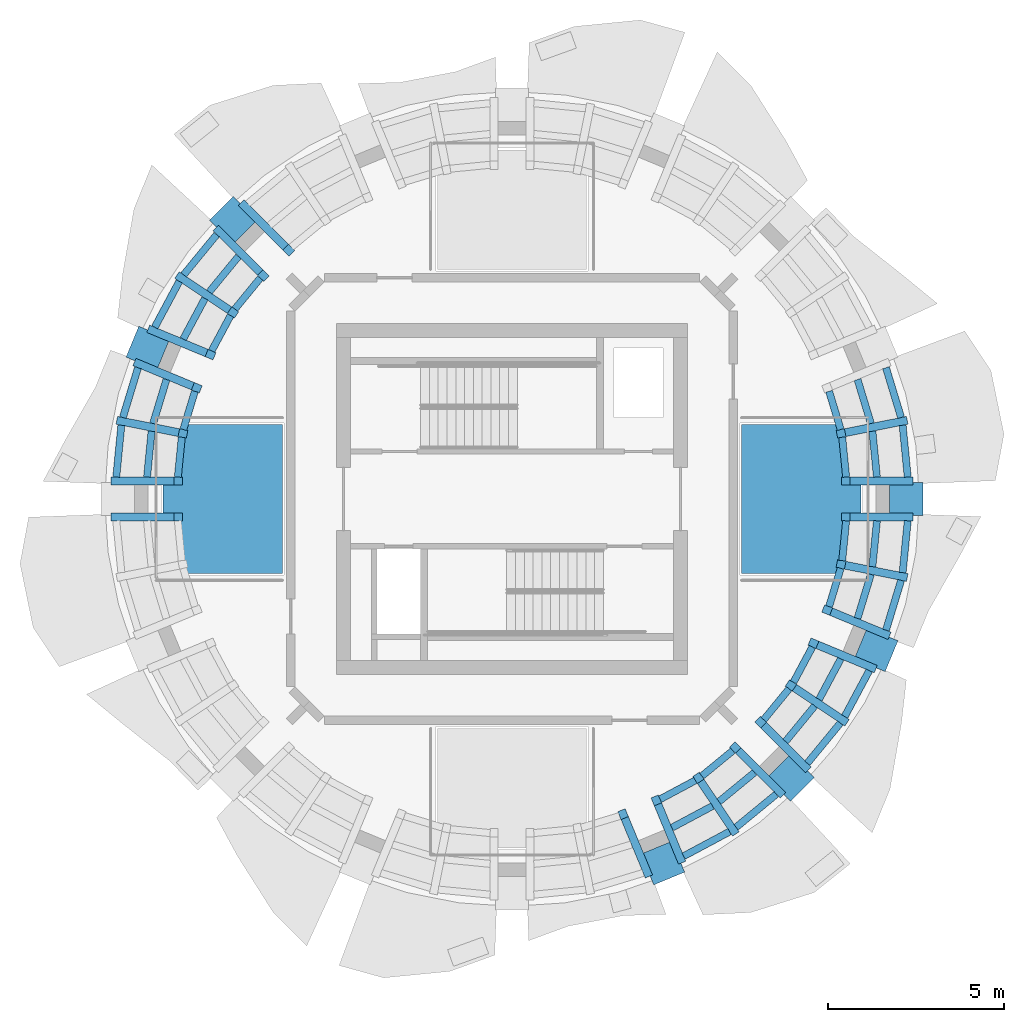
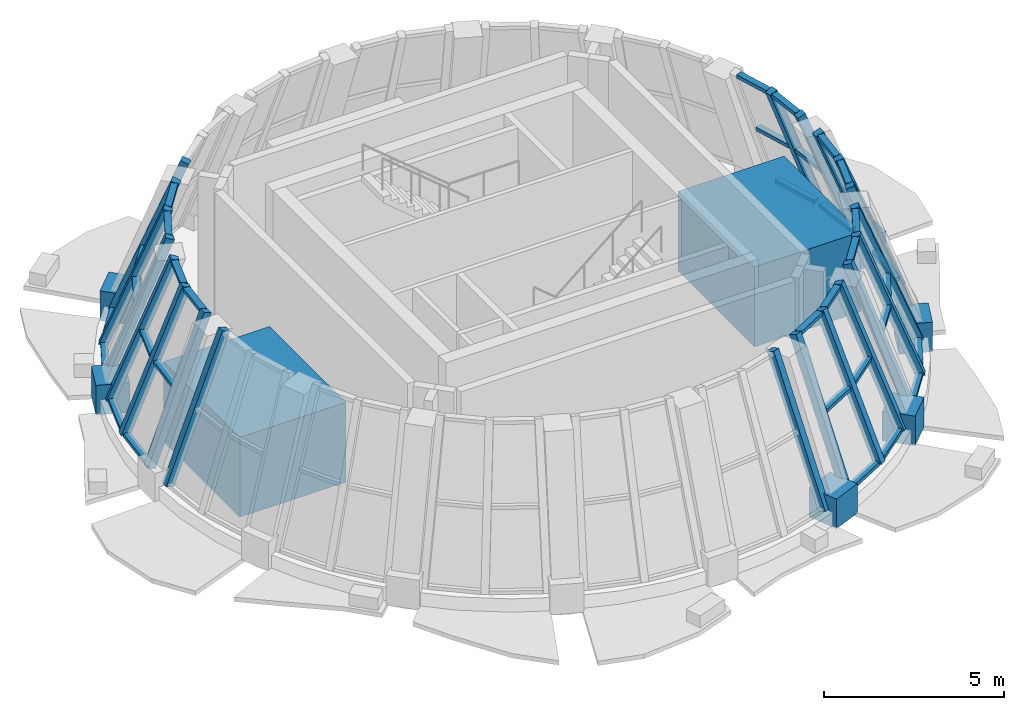
# One storey, part 2 of 9: 64 members, 9 elements without a shape of their own.
"""IFC4 building model written with IfcOpenShell, lengths in metres."""

from ifc_helpers import new_model, si_unit, direction, frame, origin, origin_2d, place, context, subcontext, project, spatial, rectangle, extrude, material, material_profile, profile_set, type_object, element, aggregate, save


model = new_model("IFC4")

# Units and contexts
model_context = context("Model", 3, precision=1e-05, world=origin(), true_north=direction((0.0, 1.0)))
body_context = subcontext(model_context, "Body", "Model", "MODEL_VIEW")
ifc_project = project(units=[si_unit("LENGTHUNIT", "METRE"), si_unit("AREAUNIT", "SQUARE_METRE"), si_unit("VOLUMEUNIT", "CUBIC_METRE"), si_unit("PLANEANGLEUNIT", "RADIAN"), si_unit("MASSUNIT", "GRAM", prefix="KILO")], contexts=[model_context])

# Site, building, storey
site_placement = place(None, origin())
site = spatial("IfcSite", under=ifc_project, at=site_placement, CompositionType="ELEMENT")
building_placement = place(site_placement, origin())
building = spatial("IfcBuilding", under=site, at=building_placement, Name="Polderwave Tower", CompositionType="ELEMENT")
storey_placement = place(building_placement, frame((0.0, 0.0, 239.39990234375)))
storey = spatial("IfcBuildingStorey", under=building, at=storey_placement, Name="L65", CompositionType="ELEMENT", Elevation=239.39990234375)

# Curtain wall, members
ifc_material_1 = material(Name="Aluminium 6063-T6 and glass", Category="aluminium")
curtain_wall_type = type_object("IfcCurtainWallType", Name="Damper floor glazing wall", PredefinedType="NOTDEFINED", material=ifc_material_1)
curtain_wall_1_placement = place(storey_placement, origin())
curtain_wall_1 = element("IfcCurtainWall", 1, at=curtain_wall_1_placement, inside=storey, type_object=curtain_wall_type, Name="CROWN CW7 L65 00", PredefinedType="NOTDEFINED")
ifc_material_2 = material(Name="Aluminium 6063-T6", Category="aluminium")
ifc_material_profile_1 = material_profile(ifc_material_2, rectangle(XDim=0.22509765625, YDim=0.260009765625, at=origin_2d()), Name="AL 225x260")
ifc_profile_set_1 = profile_set([ifc_material_profile_1], Name="Aluminium 6063-T6")
member_type_1 = type_object("IfcMemberType", Name="Damper floor glazing mullion 225x260", PredefinedType="MULLION", material=ifc_profile_set_1)
member_1_placement = place(storey_placement, frame((11.302001953125, 0.511962890625, 0.0), z_axis=(-0.360992728978, 0.0, 0.932568629981), x_axis=(0.0, -1.0, 0.0)))
member_1 = element("IfcMember", 2, at=member_1_placement, type_object=member_type_1, Name="CW7 mullion 1", PredefinedType="MULLION", context=body_context, shape_type="SweptSolid", body=[
    extrude(rectangle(XDim=0.22509765625, YDim=0.260009765625, at=origin_2d()), origin(), (0.0, 0.0, 1.0), 4.986328125),
])
member_2_placement = place(storey_placement, frame((11.134033203125, 2.215087890625, 0.0), z_axis=(-0.353999892072, -0.070408277289, 0.932591416914), x_axis=(0.195072520718, -0.980788821134, 0.0)))
member_2 = element("IfcMember", 3, at=member_2_placement, type_object=member_type_1, Name="CW7 mullion 2", PredefinedType="MULLION", context=body_context, shape_type="SweptSolid", body=[
    extrude(rectangle(XDim=0.22509765625, YDim=0.260009765625, at=origin_2d()), origin(), (0.0, 0.0, 1.0), 4.986328125),
])

# Curtain wall, member
curtain_wall_2_placement = place(storey_placement, origin())
curtain_wall_2 = element("IfcCurtainWall", 4, at=curtain_wall_2_placement, inside=storey, type_object=curtain_wall_type, Name="CROWN CW7 L65 05", PredefinedType="NOTDEFINED")
member_3_placement = place(storey_placement, frame((-7.629150390625, 8.353515625, 0.0), z_axis=(0.255141261656, -0.255337109871, 0.932580236185), x_axis=(0.707378015058, 0.706835443234, 0.0)))
member_3 = element("IfcMember", 5, at=member_3_placement, type_object=member_type_1, Name="CW7 mullion 3", PredefinedType="MULLION", context=body_context, shape_type="SweptSolid", body=[
    extrude(rectangle(XDim=0.22509765625, YDim=0.260009765625, at=origin_2d()), origin(), (0.0, 0.0, 1.0), 4.986328125),
])
aggregate(curtain_wall_2, [member_3])

# Curtain wall, members
curtain_wall_3_placement = place(storey_placement, origin())
curtain_wall_3 = element("IfcCurtainWall", 6, at=curtain_wall_3_placement, inside=storey, type_object=curtain_wall_type, Name="CROWN CW7 L65 06", PredefinedType="NOTDEFINED")
member_4_placement = place(storey_placement, frame((-8.353515625, 7.629150390625, 0.0), z_axis=(0.255337109871, -0.255141261656, 0.932580236185), x_axis=(0.706835443234, 0.707378015058, 0.0)))
member_4 = element("IfcMember", 7, at=member_4_placement, type_object=member_type_1, Name="CW7 mullion 1", PredefinedType="MULLION", context=body_context, shape_type="SweptSolid", body=[
    extrude(rectangle(XDim=0.22509765625, YDim=0.260009765625, at=origin_2d()), origin(), (0.0, 0.0, 1.0), 4.986328125),
])
member_5_placement = place(storey_placement, frame((-9.43896484375, 6.306884765625, 0.0), z_axis=(0.300225275248, -0.200541866832, 0.93254905702), x_axis=(0.555451030829, 0.831549248302, 0.0)))
member_5 = element("IfcMember", 8, at=member_5_placement, type_object=member_type_1, Name="CW7 mullion 2", PredefinedType="MULLION", context=body_context, shape_type="SweptSolid", body=[
    extrude(rectangle(XDim=0.22509765625, YDim=0.260009765625, at=origin_2d()), origin(), (0.0, 0.0, 1.0), 4.986572265625),
])
member_6_placement = place(storey_placement, frame((-10.245849609375, 4.798095703125, 0.0), z_axis=(0.333479484662, -0.138170475072, 0.932577263892), x_axis=(0.382775058439, 0.923841574425, 0.0)))
member_6 = element("IfcMember", 9, at=member_6_placement, type_object=member_type_1, Name="CW7 mullion 3", PredefinedType="MULLION", context=body_context, shape_type="SweptSolid", body=[
    extrude(rectangle(XDim=0.22509765625, YDim=0.260009765625, at=origin_2d()), origin(), (0.0, 0.0, 1.0), 4.986328125),
])

curtain_wall_4_placement = place(storey_placement, origin())
curtain_wall_4 = element("IfcCurtainWall", 10, at=curtain_wall_4_placement, inside=storey, type_object=curtain_wall_type, Name="CROWN CW7 L65 07", PredefinedType="NOTDEFINED")
member_7_placement = place(storey_placement, frame((-10.6376953125, 3.852294921875, 0.0), z_axis=(0.333523000512, -0.138168218944, 0.932562036223), x_axis=(0.382727098568, 0.923861444169, 0.0)))
member_7 = element("IfcMember", 11, at=member_7_placement, type_object=member_type_1, Name="CW7 mullion 1", PredefinedType="MULLION", context=body_context, shape_type="SweptSolid", body=[
    extrude(rectangle(XDim=0.22509765625, YDim=0.260009765625, at=origin_2d()), origin(), (0.0, 0.0, 1.0), 4.986328125),
])
member_8_placement = place(storey_placement, frame((-11.134033203125, 2.215087890625, 0.0), z_axis=(0.353999892072, -0.070408277289, 0.932591416914), x_axis=(0.195072520718, 0.980788821134, 0.0)))
member_8 = element("IfcMember", 12, at=member_8_placement, type_object=member_type_1, Name="CW7 mullion 2", PredefinedType="MULLION", context=body_context, shape_type="SweptSolid", body=[
    extrude(rectangle(XDim=0.22509765625, YDim=0.260009765625, at=origin_2d()), origin(), (0.0, 0.0, 1.0), 4.986328125),
])
member_9_placement = place(storey_placement, frame((-11.302001953125, 0.511962890625, 0.0), z_axis=(0.360992728978, 0.0, 0.932568629981), x_axis=(0.0, 1.0, 0.0)))
member_9 = element("IfcMember", 13, at=member_9_placement, type_object=member_type_1, Name="CW7 mullion 3", PredefinedType="MULLION", context=body_context, shape_type="SweptSolid", body=[
    extrude(rectangle(XDim=0.22509765625, YDim=0.260009765625, at=origin_2d()), origin(), (0.0, 0.0, 1.0), 4.986328125),
])

# Curtain wall, member
curtain_wall_5_placement = place(storey_placement, origin())
curtain_wall_5 = element("IfcCurtainWall", 14, at=curtain_wall_5_placement, inside=storey, type_object=curtain_wall_type, Name="CROWN CW7 L65 08", PredefinedType="NOTDEFINED")
member_10_placement = place(storey_placement, frame((-11.302001953125, -0.511962890625, 0.0), z_axis=(0.360992728978, 0.0, 0.932568629981), x_axis=(0.0, 1.0, 0.0)))
member_10 = element("IfcMember", 15, at=member_10_placement, type_object=member_type_1, Name="CW7 mullion 1", PredefinedType="MULLION", context=body_context, shape_type="SweptSolid", body=[
    extrude(rectangle(XDim=0.22509765625, YDim=0.260009765625, at=origin_2d()), origin(), (0.0, 0.0, 1.0), 4.986328125),
])
aggregate(curtain_wall_5, [member_10])

curtain_wall_6_placement = place(storey_placement, origin())
curtain_wall_6 = element("IfcCurtainWall", 16, at=curtain_wall_6_placement, inside=storey, type_object=curtain_wall_type, Name="CROWN CW7 L65 12", PredefinedType="NOTDEFINED")
member_11_placement = place(storey_placement, frame((3.852294921875, -10.6376953125, 0.0), z_axis=(-0.138168218944, 0.333523000512, 0.932562036223), x_axis=(-0.923861444169, -0.382727098568, 0.0)))
member_11 = element("IfcMember", 17, at=member_11_placement, type_object=member_type_1, Name="CW7 mullion 3", PredefinedType="MULLION", context=body_context, shape_type="SweptSolid", body=[
    extrude(rectangle(XDim=0.22509765625, YDim=0.260009765625, at=origin_2d()), origin(), (0.0, 0.0, 1.0), 4.986328125),
])
aggregate(curtain_wall_6, [member_11])

# Curtain wall, members
curtain_wall_7_placement = place(storey_placement, origin())
curtain_wall_7 = element("IfcCurtainWall", 18, at=curtain_wall_7_placement, inside=storey, type_object=curtain_wall_type, Name="CROWN CW7 L65 13", PredefinedType="NOTDEFINED")
member_12_placement = place(storey_placement, frame((4.798095703125, -10.245849609375, 0.0), z_axis=(-0.138170475072, 0.333479484662, 0.932577263892), x_axis=(-0.923841574425, -0.382775058439, 0.0)))
member_12 = element("IfcMember", 19, at=member_12_placement, type_object=member_type_1, Name="CW7 mullion 1", PredefinedType="MULLION", context=body_context, shape_type="SweptSolid", body=[
    extrude(rectangle(XDim=0.22509765625, YDim=0.260009765625, at=origin_2d()), origin(), (0.0, 0.0, 1.0), 4.986328125),
])
member_13_placement = place(storey_placement, frame((6.306884765625, -9.43896484375, 0.0), z_axis=(-0.200541866832, 0.300225275248, 0.93254905702), x_axis=(-0.831549248302, -0.555451030829, 0.0)))
member_13 = element("IfcMember", 20, at=member_13_placement, type_object=member_type_1, Name="CW7 mullion 2", PredefinedType="MULLION", context=body_context, shape_type="SweptSolid", body=[
    extrude(rectangle(XDim=0.22509765625, YDim=0.260009765625, at=origin_2d()), origin(), (0.0, 0.0, 1.0), 4.986572265625),
])
member_14_placement = place(storey_placement, frame((7.629150390625, -8.353515625, 0.0), z_axis=(-0.255141261656, 0.255337109871, 0.932580236185), x_axis=(-0.707378015058, -0.706835443234, 0.0)))
member_14 = element("IfcMember", 21, at=member_14_placement, type_object=member_type_1, Name="CW7 mullion 3", PredefinedType="MULLION", context=body_context, shape_type="SweptSolid", body=[
    extrude(rectangle(XDim=0.22509765625, YDim=0.260009765625, at=origin_2d()), origin(), (0.0, 0.0, 1.0), 4.986328125),
])

curtain_wall_8_placement = place(storey_placement, origin())
curtain_wall_8 = element("IfcCurtainWall", 22, at=curtain_wall_8_placement, inside=storey, type_object=curtain_wall_type, Name="CROWN CW7 L65 14", PredefinedType="NOTDEFINED")
member_15_placement = place(storey_placement, frame((8.353515625, -7.629150390625, 0.0), z_axis=(-0.255337109871, 0.255141261656, 0.932580236185), x_axis=(-0.706835443234, -0.707378015058, 0.0)))
member_15 = element("IfcMember", 23, at=member_15_placement, type_object=member_type_1, Name="CW7 mullion 1", PredefinedType="MULLION", context=body_context, shape_type="SweptSolid", body=[
    extrude(rectangle(XDim=0.22509765625, YDim=0.260009765625, at=origin_2d()), origin(), (0.0, 0.0, 1.0), 4.986328125),
])
member_16_placement = place(storey_placement, frame((9.43896484375, -6.306884765625, 0.0), z_axis=(-0.300225275248, 0.200541866832, 0.93254905702), x_axis=(-0.555451030829, -0.831549248302, 0.0)))
member_16 = element("IfcMember", 24, at=member_16_placement, type_object=member_type_1, Name="CW7 mullion 2", PredefinedType="MULLION", context=body_context, shape_type="SweptSolid", body=[
    extrude(rectangle(XDim=0.22509765625, YDim=0.260009765625, at=origin_2d()), origin(), (0.0, 0.0, 1.0), 4.986572265625),
])
member_17_placement = place(storey_placement, frame((10.245849609375, -4.798095703125, 0.0), z_axis=(-0.333479484662, 0.138170475072, 0.932577263892), x_axis=(-0.382775058439, -0.923841574425, 0.0)))
member_17 = element("IfcMember", 25, at=member_17_placement, type_object=member_type_1, Name="CW7 mullion 3", PredefinedType="MULLION", context=body_context, shape_type="SweptSolid", body=[
    extrude(rectangle(XDim=0.22509765625, YDim=0.260009765625, at=origin_2d()), origin(), (0.0, 0.0, 1.0), 4.986328125),
])

curtain_wall_9_placement = place(storey_placement, origin())
curtain_wall_9 = element("IfcCurtainWall", 26, at=curtain_wall_9_placement, inside=storey, type_object=curtain_wall_type, Name="CROWN CW7 L65 15", PredefinedType="NOTDEFINED")
member_18_placement = place(storey_placement, frame((10.6376953125, -3.852294921875, 0.0), z_axis=(-0.333523000512, 0.138168218944, 0.932562036223), x_axis=(-0.382727098568, -0.923861444169, 0.0)))
member_18 = element("IfcMember", 27, at=member_18_placement, type_object=member_type_1, Name="CW7 mullion 1", PredefinedType="MULLION", context=body_context, shape_type="SweptSolid", body=[
    extrude(rectangle(XDim=0.22509765625, YDim=0.260009765625, at=origin_2d()), origin(), (0.0, 0.0, 1.0), 4.986328125),
])
member_19_placement = place(storey_placement, frame((11.134033203125, -2.215087890625, 0.0), z_axis=(-0.353999892072, 0.070408277289, 0.932591416914), x_axis=(-0.195072520718, -0.980788821134, 0.0)))
member_19 = element("IfcMember", 28, at=member_19_placement, type_object=member_type_1, Name="CW7 mullion 2", PredefinedType="MULLION", context=body_context, shape_type="SweptSolid", body=[
    extrude(rectangle(XDim=0.22509765625, YDim=0.260009765625, at=origin_2d()), origin(), (0.0, 0.0, 1.0), 4.986328125),
])
member_20_placement = place(storey_placement, frame((11.302001953125, -0.511962890625, 0.0), z_axis=(-0.360992728978, 0.0, 0.932568629981), x_axis=(0.0, -1.0, 0.0)))
member_20 = element("IfcMember", 29, at=member_20_placement, type_object=member_type_1, Name="CW7 mullion 3", PredefinedType="MULLION", context=body_context, shape_type="SweptSolid", body=[
    extrude(rectangle(XDim=0.22509765625, YDim=0.260009765625, at=origin_2d()), origin(), (0.0, 0.0, 1.0), 4.986328125),
])

# Member
ifc_material_profile_2 = material_profile(ifc_material_2, rectangle(XDim=0.199951171875, YDim=0.1201171875, at=origin_2d()), Name="AL 120x200")
ifc_profile_set_2 = profile_set([ifc_material_profile_2], Name="Aluminium 6063-T6")
member_type_2 = type_object("IfcMemberType", Name="Damper floor glazing transom 120x200", PredefinedType="USERDEFINED", material=ifc_profile_set_2)
member_21_placement = place(storey_placement, frame((11.267578125, 0.623779296875, 0.06005859375), z_axis=(-0.098035404298, 0.995182927659, 0.0), x_axis=(-0.995182927659, -0.098035404298, 0.0)))
member_21 = element("IfcMember", 30, at=member_21_placement, type_object=member_type_2, Name="CW7 transom 1", ObjectType="TRANSOM", PredefinedType="USERDEFINED", context=body_context, shape_type="SweptSolid", body=[
    extrude(rectangle(XDim=0.199951171875, YDim=0.1201171875, at=origin_2d()), origin(), (0.0, 0.0, 1.0), 1.481689453125),
])

member_22_placement = place(storey_placement, frame((10.390869140625, 0.623779296875, 2.3251953125), z_axis=(-0.098027459105, 0.995183710307, 0.0), x_axis=(-0.995183710307, -0.098027459105, 0.0)))
member_22 = element("IfcMember", 31, at=member_22_placement, type_object=member_type_2, Name="CW7 transom 2", ObjectType="TRANSOM", PredefinedType="USERDEFINED", context=body_context, shape_type="SweptSolid", body=[
    extrude(rectangle(XDim=0.199951171875, YDim=0.1201171875, at=origin_2d()), origin(), (0.0, 0.0, 1.0), 1.31005859375),
])

member_23_placement = place(storey_placement, frame((9.51416015625, 0.623779296875, 4.590087890625), z_axis=(-0.097804691048, 0.995205628204, 0.0), x_axis=(-0.995205628204, -0.097804691048, 0.0)))
member_23 = element("IfcMember", 32, at=member_23_placement, type_object=member_type_2, Name="CW7 transom 3", ObjectType="TRANSOM", PredefinedType="USERDEFINED", context=body_context, shape_type="SweptSolid", body=[
    extrude(rectangle(XDim=0.199951171875, YDim=0.1201171875, at=origin_2d()), origin(), (0.0, 0.0, 1.0), 1.13818359375),
])

member_24_placement = place(storey_placement, frame((11.07861328125, 2.318115234375, 0.06005859375), z_axis=(-0.290204062127, 0.956964786356, 0.0), x_axis=(-0.956964786356, -0.290204062127, 0.0)))
member_24 = element("IfcMember", 33, at=member_24_placement, type_object=member_type_2, Name="CW7 transom 4", ObjectType="TRANSOM", PredefinedType="USERDEFINED", context=body_context, shape_type="SweptSolid", body=[
    extrude(rectangle(XDim=0.199951171875, YDim=0.1201171875, at=origin_2d()), origin(), (0.0, 0.0, 1.0), 1.4814453125),
])

member_25_placement = place(storey_placement, frame((10.218994140625, 2.147216796875, 2.3251953125), z_axis=(-0.290323065161, 0.956928690047, 0.0), x_axis=(-0.956928690047, -0.290323065161, 0.0)))
member_25 = element("IfcMember", 34, at=member_25_placement, type_object=member_type_2, Name="CW7 transom 5", ObjectType="TRANSOM", PredefinedType="USERDEFINED", context=body_context, shape_type="SweptSolid", body=[
    extrude(rectangle(XDim=0.199951171875, YDim=0.1201171875, at=origin_2d()), origin(), (0.0, 0.0, 1.0), 1.309326171875),
])

member_26_placement = place(storey_placement, frame((9.359130859375, 1.976318359375, 4.590087890625), z_axis=(-0.290418430742, 0.956899751847, 0.0), x_axis=(-0.956899751847, -0.290418430742, 0.0)))
member_26 = element("IfcMember", 35, at=member_26_placement, type_object=member_type_2, Name="CW7 transom 6", ObjectType="TRANSOM", PredefinedType="USERDEFINED", context=body_context, shape_type="SweptSolid", body=[
    extrude(rectangle(XDim=0.199951171875, YDim=0.1201171875, at=origin_2d()), origin(), (0.0, 0.0, 1.0), 1.137451171875),
])

aggregate(curtain_wall_1, [member_1, member_2, member_21, member_22, member_23, member_24, member_25, member_26])

member_27_placement = place(storey_placement, frame((-8.408447265625, 7.525634765625, 0.06005859375), z_axis=(-0.634655050838, -0.772795552812, 0.0), x_axis=(0.772795552812, -0.634655050838, 0.0)))
member_27 = element("IfcMember", 36, at=member_27_placement, type_object=member_type_2, Name="CW7 transom 1", ObjectType="TRANSOM", PredefinedType="USERDEFINED", context=body_context, shape_type="SweptSolid", body=[
    extrude(rectangle(XDim=0.199951171875, YDim=0.1201171875, at=origin_2d()), origin(), (0.0, 0.0, 1.0), 1.48095703125),
])

member_28_placement = place(storey_placement, frame((-7.788330078125, 6.906005859375, 2.3251953125), z_axis=(-0.634445167529, -0.772967870871, 0.0), x_axis=(0.772967870871, -0.634445167529, 0.0)))
member_28 = element("IfcMember", 37, at=member_28_placement, type_object=member_type_2, Name="CW7 transom 2", ObjectType="TRANSOM", PredefinedType="USERDEFINED", context=body_context, shape_type="SweptSolid", body=[
    extrude(rectangle(XDim=0.199951171875, YDim=0.1201171875, at=origin_2d()), origin(), (0.0, 0.0, 1.0), 1.3095703125),
])

member_29_placement = place(storey_placement, frame((-7.168212890625, 6.28662109375, 4.590087890625), z_axis=(-0.634171946025, -0.77319204786, 0.0), x_axis=(0.77319204786, -0.634171946025, 0.0)))
member_29 = element("IfcMember", 38, at=member_29_placement, type_object=member_type_2, Name="CW7 transom 3", ObjectType="TRANSOM", PredefinedType="USERDEFINED", context=body_context, shape_type="SweptSolid", body=[
    extrude(rectangle(XDim=0.199951171875, YDim=0.1201171875, at=origin_2d()), origin(), (0.0, 0.0, 1.0), 1.137939453125),
])

member_30_placement = place(storey_placement, frame((-9.47265625, 6.19482421875, 0.06005859375), z_axis=(-0.471631391482, -0.881795798679, 0.0), x_axis=(0.881795798679, -0.471631391482, 0.0)))
member_30 = element("IfcMember", 39, at=member_30_placement, type_object=member_type_2, Name="CW7 transom 4", ObjectType="TRANSOM", PredefinedType="USERDEFINED", context=body_context, shape_type="SweptSolid", body=[
    extrude(rectangle(XDim=0.199951171875, YDim=0.1201171875, at=origin_2d()), origin(), (0.0, 0.0, 1.0), 1.4814453125),
])

member_31_placement = place(storey_placement, frame((-8.74365234375, 5.707763671875, 2.3251953125), z_axis=(-0.471652250337, -0.881784641935, 0.0), x_axis=(0.881784641935, -0.471652250337, 0.0)))
member_31 = element("IfcMember", 40, at=member_31_placement, type_object=member_type_2, Name="CW7 transom 5", ObjectType="TRANSOM", PredefinedType="USERDEFINED", context=body_context, shape_type="SweptSolid", body=[
    extrude(rectangle(XDim=0.199951171875, YDim=0.1201171875, at=origin_2d()), origin(), (0.0, 0.0, 1.0), 1.3095703125),
])

member_32_placement = place(storey_placement, frame((-8.014404296875, 5.220703125, 4.590087890625), z_axis=(-0.47175698723, -0.881728611876, 0.0), x_axis=(0.881728611876, -0.47175698723, 0.0)))
member_32 = element("IfcMember", 41, at=member_32_placement, type_object=member_type_2, Name="CW7 transom 6", ObjectType="TRANSOM", PredefinedType="USERDEFINED", context=body_context, shape_type="SweptSolid", body=[
    extrude(rectangle(XDim=0.199951171875, YDim=0.1201171875, at=origin_2d()), origin(), (0.0, 0.0, 1.0), 1.137939453125),
])

aggregate(curtain_wall_3, [member_4, member_5, member_6, member_27, member_28, member_29, member_30, member_31, member_32])

member_33_placement = place(storey_placement, frame((-10.648681640625, 3.73583984375, 0.06005859375), z_axis=(-0.290204062127, -0.956964786356, 0.0), x_axis=(0.956964786356, -0.290204062127, 0.0)))
member_33 = element("IfcMember", 42, at=member_33_placement, type_object=member_type_2, Name="CW7 transom 1", ObjectType="TRANSOM", PredefinedType="USERDEFINED", context=body_context, shape_type="SweptSolid", body=[
    extrude(rectangle(XDim=0.199951171875, YDim=0.1201171875, at=origin_2d()), origin(), (0.0, 0.0, 1.0), 1.4814453125),
])

member_34_placement = place(storey_placement, frame((-9.8388671875, 3.400146484375, 2.3251953125), z_axis=(-0.290323065161, -0.956928690047, 0.0), x_axis=(0.956928690047, -0.290323065161, 0.0)))
member_34 = element("IfcMember", 43, at=member_34_placement, type_object=member_type_2, Name="CW7 transom 2", ObjectType="TRANSOM", PredefinedType="USERDEFINED", context=body_context, shape_type="SweptSolid", body=[
    extrude(rectangle(XDim=0.199951171875, YDim=0.1201171875, at=origin_2d()), origin(), (0.0, 0.0, 1.0), 1.309326171875),
])

member_35_placement = place(storey_placement, frame((-9.02880859375, 3.064697265625, 4.590087890625), z_axis=(-0.290418430742, -0.956899751847, 0.0), x_axis=(0.956899751847, -0.290418430742, 0.0)))
member_35 = element("IfcMember", 44, at=member_35_placement, type_object=member_type_2, Name="CW7 transom 3", ObjectType="TRANSOM", PredefinedType="USERDEFINED", context=body_context, shape_type="SweptSolid", body=[
    extrude(rectangle(XDim=0.199951171875, YDim=0.1201171875, at=origin_2d()), origin(), (0.0, 0.0, 1.0), 1.137451171875),
])

member_36_placement = place(storey_placement, frame((-11.122314453125, 2.098388671875, 0.06005859375), z_axis=(-0.098035404298, -0.995182927659, 0.0), x_axis=(0.995182927659, -0.098035404298, 0.0)))
member_36 = element("IfcMember", 45, at=member_36_placement, type_object=member_type_2, Name="CW7 transom 4", ObjectType="TRANSOM", PredefinedType="USERDEFINED", context=body_context, shape_type="SweptSolid", body=[
    extrude(rectangle(XDim=0.199951171875, YDim=0.1201171875, at=origin_2d()), origin(), (0.0, 0.0, 1.0), 1.481689453125),
])

member_37_placement = place(storey_placement, frame((-10.262451171875, 1.927490234375, 2.3251953125), z_axis=(-0.098027459105, -0.995183710307, 0.0), x_axis=(0.995183710307, -0.098027459105, 0.0)))
member_37 = element("IfcMember", 46, at=member_37_placement, type_object=member_type_2, Name="CW7 transom 5", ObjectType="TRANSOM", PredefinedType="USERDEFINED", context=body_context, shape_type="SweptSolid", body=[
    extrude(rectangle(XDim=0.199951171875, YDim=0.1201171875, at=origin_2d()), origin(), (0.0, 0.0, 1.0), 1.31005859375),
])

member_38_placement = place(storey_placement, frame((-9.40283203125, 1.756591796875, 4.590087890625), z_axis=(-0.097804691048, -0.995205628204, 0.0), x_axis=(0.995205628204, -0.097804691048, 0.0)))
member_38 = element("IfcMember", 47, at=member_38_placement, type_object=member_type_2, Name="CW7 transom 6", ObjectType="TRANSOM", PredefinedType="USERDEFINED", context=body_context, shape_type="SweptSolid", body=[
    extrude(rectangle(XDim=0.199951171875, YDim=0.1201171875, at=origin_2d()), origin(), (0.0, 0.0, 1.0), 1.13818359375),
])

aggregate(curtain_wall_4, [member_7, member_8, member_9, member_33, member_34, member_35, member_36, member_37, member_38])

member_39_placement = place(storey_placement, frame((4.888427734375, -10.17138671875, 0.06005859375), z_axis=(0.881795798679, 0.471631391482, 0.0), x_axis=(-0.471631391482, 0.881795798679, 0.0)))
member_39 = element("IfcMember", 48, at=member_39_placement, type_object=member_type_2, Name="CW7 transom 1", ObjectType="TRANSOM", PredefinedType="USERDEFINED", context=body_context, shape_type="SweptSolid", body=[
    extrude(rectangle(XDim=0.199951171875, YDim=0.1201171875, at=origin_2d()), origin(), (0.0, 0.0, 1.0), 1.4814453125),
])

member_40_placement = place(storey_placement, frame((4.552978515625, -9.361328125, 2.3251953125), z_axis=(0.881784641935, 0.471652250337, 0.0), x_axis=(-0.471652250337, 0.881784641935, 0.0)))
member_40 = element("IfcMember", 49, at=member_40_placement, type_object=member_type_2, Name="CW7 transom 2", ObjectType="TRANSOM", PredefinedType="USERDEFINED", context=body_context, shape_type="SweptSolid", body=[
    extrude(rectangle(XDim=0.199951171875, YDim=0.1201171875, at=origin_2d()), origin(), (0.0, 0.0, 1.0), 1.3095703125),
])

member_41_placement = place(storey_placement, frame((4.21728515625, -8.55126953125, 4.590087890625), z_axis=(0.881728611876, 0.47175698723, 0.0), x_axis=(-0.47175698723, 0.881728611876, 0.0)))
member_41 = element("IfcMember", 50, at=member_41_placement, type_object=member_type_2, Name="CW7 transom 3", ObjectType="TRANSOM", PredefinedType="USERDEFINED", context=body_context, shape_type="SweptSolid", body=[
    extrude(rectangle(XDim=0.199951171875, YDim=0.1201171875, at=origin_2d()), origin(), (0.0, 0.0, 1.0), 1.137939453125),
])

member_42_placement = place(storey_placement, frame((6.381103515625, -9.348388671875, 0.06005859375), z_axis=(0.772795552812, 0.634655050838, 0.0), x_axis=(-0.634655050838, 0.772795552812, 0.0)))
member_42 = element("IfcMember", 51, at=member_42_placement, type_object=member_type_2, Name="CW7 transom 4", ObjectType="TRANSOM", PredefinedType="USERDEFINED", context=body_context, shape_type="SweptSolid", body=[
    extrude(rectangle(XDim=0.199951171875, YDim=0.1201171875, at=origin_2d()), origin(), (0.0, 0.0, 1.0), 1.48095703125),
])

member_43_placement = place(storey_placement, frame((5.893798828125, -8.619140625, 2.3251953125), z_axis=(0.772967870871, 0.634445167529, 0.0), x_axis=(-0.634445167529, 0.772967870871, 0.0)))
member_43 = element("IfcMember", 52, at=member_43_placement, type_object=member_type_2, Name="CW7 transom 5", ObjectType="TRANSOM", PredefinedType="USERDEFINED", context=body_context, shape_type="SweptSolid", body=[
    extrude(rectangle(XDim=0.199951171875, YDim=0.1201171875, at=origin_2d()), origin(), (0.0, 0.0, 1.0), 1.3095703125),
])

member_44_placement = place(storey_placement, frame((5.40673828125, -7.889892578125, 4.590087890625), z_axis=(0.77319204786, 0.634171946025, 0.0), x_axis=(-0.634171946025, 0.77319204786, 0.0)))
member_44 = element("IfcMember", 53, at=member_44_placement, type_object=member_type_2, Name="CW7 transom 6", ObjectType="TRANSOM", PredefinedType="USERDEFINED", context=body_context, shape_type="SweptSolid", body=[
    extrude(rectangle(XDim=0.199951171875, YDim=0.1201171875, at=origin_2d()), origin(), (0.0, 0.0, 1.0), 1.137939453125),
])

aggregate(curtain_wall_7, [member_12, member_13, member_14, member_39, member_40, member_41, member_42, member_43, member_44])

member_45_placement = place(storey_placement, frame((8.408447265625, -7.525634765625, 0.06005859375), z_axis=(0.634655050838, 0.772795552812, 0.0), x_axis=(-0.772795552812, 0.634655050838, 0.0)))
member_45 = element("IfcMember", 54, at=member_45_placement, type_object=member_type_2, Name="CW7 transom 1", ObjectType="TRANSOM", PredefinedType="USERDEFINED", context=body_context, shape_type="SweptSolid", body=[
    extrude(rectangle(XDim=0.199951171875, YDim=0.1201171875, at=origin_2d()), origin(), (0.0, 0.0, 1.0), 1.48095703125),
])

member_46_placement = place(storey_placement, frame((7.788330078125, -6.906005859375, 2.3251953125), z_axis=(0.634445167529, 0.772967870871, 0.0), x_axis=(-0.772967870871, 0.634445167529, 0.0)))
member_46 = element("IfcMember", 55, at=member_46_placement, type_object=member_type_2, Name="CW7 transom 2", ObjectType="TRANSOM", PredefinedType="USERDEFINED", context=body_context, shape_type="SweptSolid", body=[
    extrude(rectangle(XDim=0.199951171875, YDim=0.1201171875, at=origin_2d()), origin(), (0.0, 0.0, 1.0), 1.3095703125),
])

member_47_placement = place(storey_placement, frame((7.168212890625, -6.28662109375, 4.590087890625), z_axis=(0.634171946025, 0.77319204786, 0.0), x_axis=(-0.77319204786, 0.634171946025, 0.0)))
member_47 = element("IfcMember", 56, at=member_47_placement, type_object=member_type_2, Name="CW7 transom 3", ObjectType="TRANSOM", PredefinedType="USERDEFINED", context=body_context, shape_type="SweptSolid", body=[
    extrude(rectangle(XDim=0.199951171875, YDim=0.1201171875, at=origin_2d()), origin(), (0.0, 0.0, 1.0), 1.137939453125),
])

member_48_placement = place(storey_placement, frame((9.47265625, -6.19482421875, 0.06005859375), z_axis=(0.471631391482, 0.881795798679, 0.0), x_axis=(-0.881795798679, 0.471631391482, 0.0)))
member_48 = element("IfcMember", 57, at=member_48_placement, type_object=member_type_2, Name="CW7 transom 4", ObjectType="TRANSOM", PredefinedType="USERDEFINED", context=body_context, shape_type="SweptSolid", body=[
    extrude(rectangle(XDim=0.199951171875, YDim=0.1201171875, at=origin_2d()), origin(), (0.0, 0.0, 1.0), 1.4814453125),
])

member_49_placement = place(storey_placement, frame((8.74365234375, -5.707763671875, 2.3251953125), z_axis=(0.471652250337, 0.881784641935, 0.0), x_axis=(-0.881784641935, 0.471652250337, 0.0)))
member_49 = element("IfcMember", 58, at=member_49_placement, type_object=member_type_2, Name="CW7 transom 5", ObjectType="TRANSOM", PredefinedType="USERDEFINED", context=body_context, shape_type="SweptSolid", body=[
    extrude(rectangle(XDim=0.199951171875, YDim=0.1201171875, at=origin_2d()), origin(), (0.0, 0.0, 1.0), 1.3095703125),
])

member_50_placement = place(storey_placement, frame((8.014404296875, -5.220703125, 4.590087890625), z_axis=(0.47175698723, 0.881728611876, 0.0), x_axis=(-0.881728611876, 0.47175698723, 0.0)))
member_50 = element("IfcMember", 59, at=member_50_placement, type_object=member_type_2, Name="CW7 transom 6", ObjectType="TRANSOM", PredefinedType="USERDEFINED", context=body_context, shape_type="SweptSolid", body=[
    extrude(rectangle(XDim=0.199951171875, YDim=0.1201171875, at=origin_2d()), origin(), (0.0, 0.0, 1.0), 1.137939453125),
])

aggregate(curtain_wall_8, [member_15, member_16, member_17, member_45, member_46, member_47, member_48, member_49, member_50])

member_51_placement = place(storey_placement, frame((10.648681640625, -3.73583984375, 0.06005859375), z_axis=(0.290204062127, 0.956964786356, 0.0), x_axis=(-0.956964786356, 0.290204062127, 0.0)))
member_51 = element("IfcMember", 60, at=member_51_placement, type_object=member_type_2, Name="CW7 transom 1", ObjectType="TRANSOM", PredefinedType="USERDEFINED", context=body_context, shape_type="SweptSolid", body=[
    extrude(rectangle(XDim=0.199951171875, YDim=0.1201171875, at=origin_2d()), origin(), (0.0, 0.0, 1.0), 1.4814453125),
])

member_52_placement = place(storey_placement, frame((9.8388671875, -3.400146484375, 2.3251953125), z_axis=(0.290323065161, 0.956928690047, 0.0), x_axis=(-0.956928690047, 0.290323065161, 0.0)))
member_52 = element("IfcMember", 61, at=member_52_placement, type_object=member_type_2, Name="CW7 transom 2", ObjectType="TRANSOM", PredefinedType="USERDEFINED", context=body_context, shape_type="SweptSolid", body=[
    extrude(rectangle(XDim=0.199951171875, YDim=0.1201171875, at=origin_2d()), origin(), (0.0, 0.0, 1.0), 1.309326171875),
])

member_53_placement = place(storey_placement, frame((9.02880859375, -3.064697265625, 4.590087890625), z_axis=(0.290418430742, 0.956899751847, 0.0), x_axis=(-0.956899751847, 0.290418430742, 0.0)))
member_53 = element("IfcMember", 62, at=member_53_placement, type_object=member_type_2, Name="CW7 transom 3", ObjectType="TRANSOM", PredefinedType="USERDEFINED", context=body_context, shape_type="SweptSolid", body=[
    extrude(rectangle(XDim=0.199951171875, YDim=0.1201171875, at=origin_2d()), origin(), (0.0, 0.0, 1.0), 1.137451171875),
])

member_54_placement = place(storey_placement, frame((11.122314453125, -2.098388671875, 0.06005859375), z_axis=(0.098035404298, 0.995182927659, 0.0), x_axis=(-0.995182927659, 0.098035404298, 0.0)))
member_54 = element("IfcMember", 63, at=member_54_placement, type_object=member_type_2, Name="CW7 transom 4", ObjectType="TRANSOM", PredefinedType="USERDEFINED", context=body_context, shape_type="SweptSolid", body=[
    extrude(rectangle(XDim=0.199951171875, YDim=0.1201171875, at=origin_2d()), origin(), (0.0, 0.0, 1.0), 1.481689453125),
])

member_55_placement = place(storey_placement, frame((10.262451171875, -1.927490234375, 2.3251953125), z_axis=(0.098027459105, 0.995183710307, 0.0), x_axis=(-0.995183710307, 0.098027459105, 0.0)))
member_55 = element("IfcMember", 64, at=member_55_placement, type_object=member_type_2, Name="CW7 transom 5", ObjectType="TRANSOM", PredefinedType="USERDEFINED", context=body_context, shape_type="SweptSolid", body=[
    extrude(rectangle(XDim=0.199951171875, YDim=0.1201171875, at=origin_2d()), origin(), (0.0, 0.0, 1.0), 1.31005859375),
])

member_56_placement = place(storey_placement, frame((9.40283203125, -1.756591796875, 4.590087890625), z_axis=(0.097804691048, 0.995205628204, 0.0), x_axis=(-0.995205628204, 0.097804691048, 0.0)))
member_56 = element("IfcMember", 65, at=member_56_placement, type_object=member_type_2, Name="CW7 transom 6", ObjectType="TRANSOM", PredefinedType="USERDEFINED", context=body_context, shape_type="SweptSolid", body=[
    extrude(rectangle(XDim=0.199951171875, YDim=0.1201171875, at=origin_2d()), origin(), (0.0, 0.0, 1.0), 1.13818359375),
])

aggregate(curtain_wall_9, [member_18, member_19, member_20, member_51, member_52, member_53, member_54, member_55, member_56])

# Members
ifc_material_3 = material(Name="Steel S355", Category="steel")
ifc_material_profile_3 = material_profile(ifc_material_3, rectangle(XDim=3.39990234375, YDim=4.2353515625, at=origin_2d()), Name="Steel block 3400x4235")
ifc_profile_set_3 = profile_set([ifc_material_profile_3], Name="Steel S355")
member_type_3 = type_object("IfcMemberType", Name="Damper mass block 3400 x 4235", PredefinedType="MEMBER", material=ifc_profile_set_3)
for number, where, z_axis, x_axis, name in (
    (66, (8.235107421875, 0.0, -0.599853515625), (0.0, 0.0, 1.0), (1.0, 0.0, 0.0), "Tuned mass damper block 1"),
    (67, (-8.235107421875, 0.0, -0.599853515625), (0.0, 0.0, 1.0), (-1.0, 0.0, 0.0), "Tuned mass damper block 3"),
):
    element("IfcMember", number, at=place(storey_placement, frame(where, z_axis=z_axis, x_axis=x_axis)), inside=storey, type_object=member_type_3, Name=name, PredefinedType="MEMBER", context=body_context, shape_type="SweptSolid", body=[
        extrude(rectangle(XDim=3.39990234375, YDim=4.2353515625, at=origin_2d()), origin(), (0.0, 0.0, 1.0), 2.699951171875),
    ])
ifc_material_4 = material(Name="Concrete C60/75", Category="concrete")
ifc_material_profile_4 = material_profile(ifc_material_4, rectangle(XDim=0.949951171875, YDim=0.949951171875, at=origin_2d()), Name="RC 950x950")
ifc_profile_set_4 = profile_set([ifc_material_profile_4], Name="Concrete C60/75")
member_type_4 = type_object("IfcMemberType", Name="RC NODE 950x950 C60/75", PredefinedType="POST", material=ifc_profile_set_4)
for number, where, z_axis, x_axis, name in (
    (68, (11.222412109375, 0.0, -0.5), (0.0, 0.0, 1.0), (1.0, 0.0, 0.0), "Ring column node 01"),
    (69, (-7.935546875, 7.935546875, -0.5), (0.0, 0.0, 1.0), (-0.707106781187, 0.707106781187, 0.0), "Ring column node 07"),
    (70, (-10.3681640625, 4.294677734375, -0.5), (0.0, 0.0, 1.0), (-0.923879532511, 0.382683432365, 0.0), "Ring column node 08"),
    (71, (4.294677734375, -10.3681640625, -0.5), (0.0, 0.0, 1.0), (0.382683432365, -0.923879532511, 0.0), "Ring column node 14"),
    (72, (7.935546875, -7.935546875, -0.5), (0.0, 0.0, 1.0), (0.707106781187, -0.707106781187, 0.0), "Ring column node 15"),
    (73, (10.3681640625, -4.294677734375, -0.5), (0.0, 0.0, 1.0), (0.923879532511, -0.382683432365, 0.0), "Ring column node 16"),
):
    element("IfcMember", number, at=place(storey_placement, frame(where, z_axis=z_axis, x_axis=x_axis)), inside=storey, type_object=member_type_4, Name=name, PredefinedType="POST", context=body_context, shape_type="SweptSolid", body=[
        extrude(rectangle(XDim=0.949951171875, YDim=0.949951171875, at=origin_2d()), origin(), (0.0, 0.0, 1.0), 1.0),
    ])

save(model, "model.ifc")
